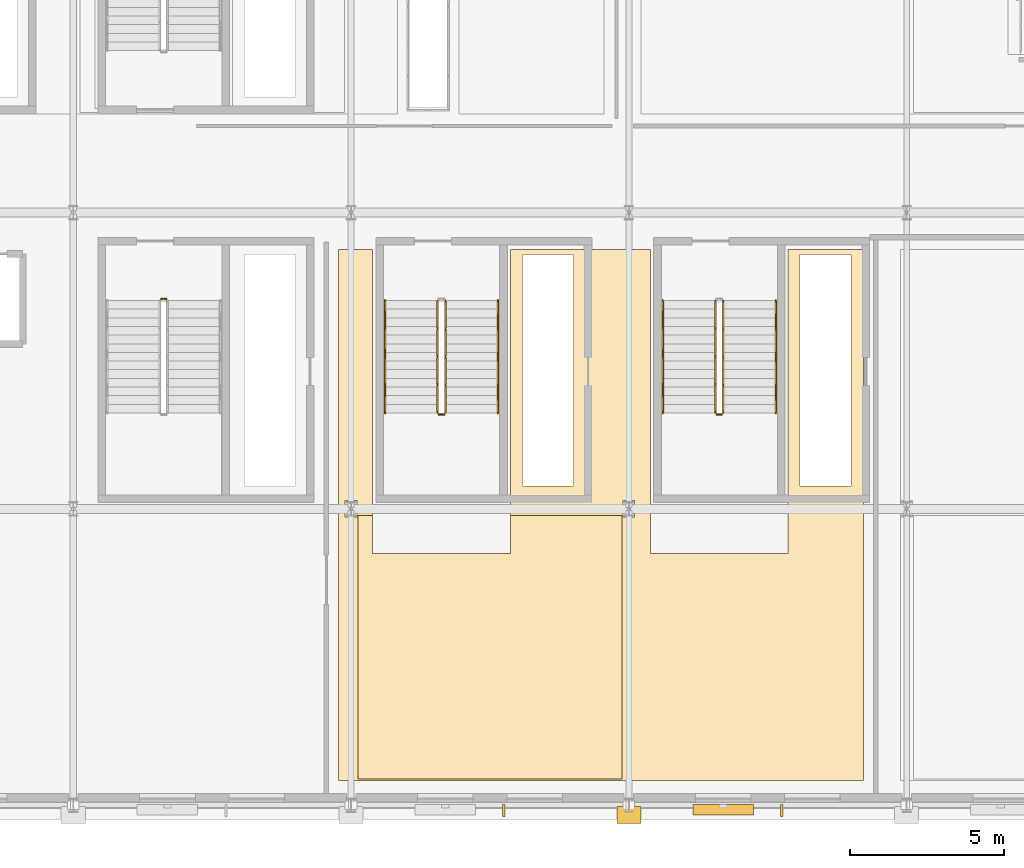
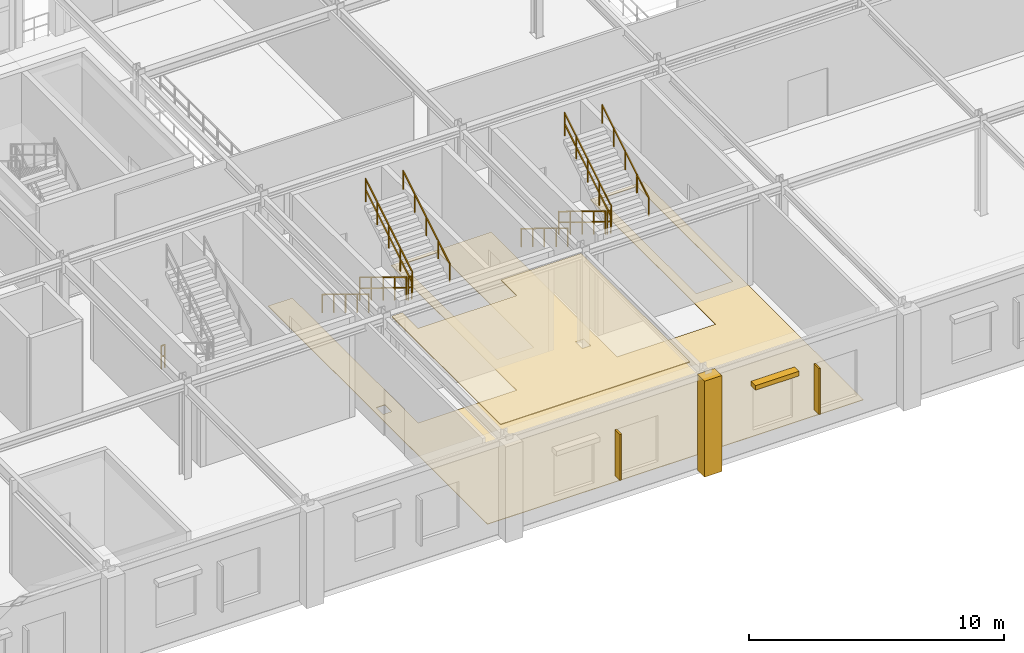
# One storey, part 112 of 125: 11 railings, 3 coverings, 3 shading devices.
"""IFC4 building model written with IfcOpenShell, lengths in metres."""

import ifcopenshell
import ifcopenshell.guid

model = None  # the IFC model being written
_history = None  # IfcOwnerHistory: only IFC2X3 demands one
_inside = {}  # id of a spatial element -> (the spatial element, [elements in it])
_under = {}  # id of a project, library or spatial element -> (it, [spatial elements below it])
_declared = {}  # id of a project -> (the project, [libraries it declares])
_typed = {}  # id of a type object -> (the type object, [elements of that type])
_made_of = {}  # id of a material, layer set ... -> (it, [elements and type objects made of it])


def new_model(schema):
    """Start an empty IFC model of exactly this schema.

    Asked for "IFC4X3", IfcOpenShell would pick the latest addendum, in which some entities
    have other attributes; the version numbers below select the first issue.
    IFC2X3 requires an IfcOwnerHistory on every rooted entity: one is made here for all.
    """
    global model, _history
    if schema == "IFC4X3":
        model = ifcopenshell.file(schema_version=(4, 3, 0, 0))
    else:
        model = ifcopenshell.file(schema=schema)
    _inside.clear()
    _under.clear()
    _declared.clear()
    _typed.clear()
    _made_of.clear()
    _history = None
    if model.schema == "IFC2X3":
        org = make("IfcOrganization", Name="unknown")
        user = make(
            "IfcPersonAndOrganization",
            ThePerson=make("IfcPerson", FamilyName="unknown"),
            TheOrganization=org,
        )
        app = make(
            "IfcApplication",
            ApplicationDeveloper=org,
            Version="unknown",
            ApplicationFullName="unknown",
            ApplicationIdentifier="unknown",
        )
        _history = make(
            "IfcOwnerHistory",
            OwningUser=user,
            OwningApplication=app,
            ChangeAction="ADDED",
            CreationDate=0,
        )
    return model


def make(cls, **values):
    """One entity of the class cls with the attributes given. An attribute that is None is left unset."""
    return model.create_entity(
        cls, **{name: value for name, value in values.items() if value is not None}
    )


def rooted(cls, **values):
    """An entity with a GlobalId (a new one), such as an element, a storey or a relation."""
    return make(cls, GlobalId=ifcopenshell.guid.new(), OwnerHistory=_history, **values)


def si_unit(unit_type, name, prefix=None):
    """IfcSIUnit, for example si_unit("LENGTHUNIT", "METRE", prefix="MILLI")."""
    return make("IfcSIUnit", UnitType=unit_type, Prefix=prefix, Name=name)


def assignment(units):
    """IfcUnitAssignment: the units of a project."""
    return None if units is None else make("IfcUnitAssignment", Units=units)


def point(xyz):
    """IfcCartesianPoint."""
    return None if xyz is None else make("IfcCartesianPoint", Coordinates=xyz)


def direction(xyz):
    """IfcDirection."""
    return None if xyz is None else make("IfcDirection", DirectionRatios=xyz)


def frame(location, z_axis=None, x_axis=None):
    """IfcAxis2Placement3D, a coordinate frame: its origin and axes. An axis left out is left unset."""
    return make(
        "IfcAxis2Placement3D",
        Location=point(location),
        Axis=direction(z_axis),
        RefDirection=direction(x_axis),
    )


def frame_2d(location, x_axis=None):
    """IfcAxis2Placement2D, a coordinate frame in the plane: its origin and x axis."""
    return make(
        "IfcAxis2Placement2D", Location=point(location), RefDirection=direction(x_axis)
    )


def origin():
    """The frame at (0, 0, 0) with its axes left unset."""
    return frame((0.0, 0.0, 0.0))


def origin_2d():
    """The frame at (0, 0) in the plane with its x axis left unset."""
    return frame_2d((0.0, 0.0))


def place(relative_to, where):
    """IfcLocalPlacement: puts the frame where relative to a parent placement (None: the world)."""
    return make(
        "IfcLocalPlacement", PlacementRelTo=relative_to, RelativePlacement=where
    )


def context(
    kind, dimensions, precision=None, world=None, true_north=None, identifier=None
):
    """IfcGeometricRepresentationContext, for example the 3D "Model" context."""
    return make(
        "IfcGeometricRepresentationContext",
        ContextIdentifier=identifier,
        ContextType=kind,
        CoordinateSpaceDimension=dimensions,
        Precision=precision,
        WorldCoordinateSystem=world,
        TrueNorth=true_north,
    )


def subcontext(parent, identifier, kind, view, scale=None):
    """IfcGeometricRepresentationSubContext, for example "Body" below "Model"."""
    return make(
        "IfcGeometricRepresentationSubContext",
        ContextIdentifier=identifier,
        ContextType=kind,
        ParentContext=parent,
        TargetScale=scale,
        TargetView=view,
    )


def project(units=None, contexts=None):
    """IfcProject with its units and contexts."""
    return rooted(
        "IfcProject",
        Name="project",
        RepresentationContexts=contexts,
        UnitsInContext=assignment(units),
    )


def spatial(cls, under=None, at=None, **own):
    """A site, building, storey or space (cls), placed at a placement, below another one or the project."""
    s = rooted(cls, ObjectPlacement=at, **own)
    if under is not None:
        _under.setdefault(under.id(), (under, []))[1].append(s)
    return s


def polyline(points):
    """IfcPolyline through the points."""
    return make("IfcPolyline", Points=[point(p) for p in points])


def profile(cls, at=None, kind="AREA", **sizes):
    """A parametric profile (cls). Its sizes go by their IFC names, for example OverallWidth=200.0."""
    return make(cls, ProfileType=kind, Position=at, **sizes)


def rectangle(**sizes):
    """IfcRectangleProfileDef."""
    return profile("IfcRectangleProfileDef", **sizes)


def outline(outer, holes=None, kind="AREA"):
    """IfcArbitraryClosedProfileDef: a profile drawn as a closed curve; with holes, ...WithVoids."""
    if holes is None:
        return make("IfcArbitraryClosedProfileDef", ProfileType=kind, OuterCurve=outer)
    return make(
        "IfcArbitraryProfileDefWithVoids",
        ProfileType=kind,
        OuterCurve=outer,
        InnerCurves=holes,
    )


def extrude(swept, where, along, depth):
    """IfcExtrudedAreaSolid: the profile swept, set in the frame where, extruded along a direction by depth."""
    return make(
        "IfcExtrudedAreaSolid",
        SweptArea=swept,
        Position=where,
        ExtrudedDirection=direction(along),
        Depth=depth,
    )


def shape(context_of_items, identifier, shape_type, items):
    """IfcShapeRepresentation: the items that make up one representation, for example the "Body"."""
    return make(
        "IfcShapeRepresentation",
        ContextOfItems=context_of_items,
        RepresentationIdentifier=identifier,
        RepresentationType=shape_type,
        Items=items,
    )


def material(Name=None, Category=None):
    """IfcMaterial."""
    return make("IfcMaterial", Name=Name, Category=Category)


def layer(
    of_material, thickness, ventilated=None, Name=None, Category=None, Priority=None
):
    """IfcMaterialLayer: one layer of a wall or slab, of a material (None: an air gap)."""
    return make(
        "IfcMaterialLayer",
        Material=of_material,
        LayerThickness=thickness,
        IsVentilated=ventilated,
        Name=Name,
        Category=Category,
        Priority=Priority,
    )


def layer_set(layers, Name=None):
    """IfcMaterialLayerSet."""
    return make("IfcMaterialLayerSet", MaterialLayers=layers, LayerSetName=Name)


def made_of(thing, what):
    """Note that an element or type object is made of a material, layer set ...; save() writes the relation."""
    if what is not None:
        _made_of.setdefault(what.id(), (what, []))[1].append(thing)
    return thing


def type_object(cls, material=None, **own):
    """A type object (cls), such as IfcWallType, which elements share."""
    return made_of(rooted(cls, **own), material)


def element(
    cls,
    number,
    at=None,
    inside=None,
    cuts=None,
    type_object=None,
    material=None,
    context=None,
    identifier="Body",
    shape_type=None,
    held_by="IfcProductDefinitionShape",
    body=None,
    shapes=None,
    **own,
):
    """One element of the class cls, such as IfcWall. Its Tag is "e" and its number.

    at: its placement. inside: the storey or other place that contains it. cuts: it is an
    opening in that element (IfcRelVoidsElement). A single representation is given by context,
    identifier, shape_type and body (its items); several are given by shapes. held_by: the class
    of the entity that holds the representations. save() writes the other relations.
    """
    e = rooted(cls, Tag="e%d" % number, ObjectPlacement=at, **own)
    if body is not None:
        shapes = [shape(context, identifier, shape_type, body)]
    if shapes is not None:
        e.Representation = make(held_by, Representations=shapes)
    if inside is not None:
        _inside.setdefault(inside.id(), (inside, []))[1].append(e)
    if cuts is not None:
        rooted(
            "IfcRelVoidsElement", RelatingBuildingElement=cuts, RelatedOpeningElement=e
        )
    if type_object is not None:
        _typed.setdefault(type_object.id(), (type_object, []))[1].append(e)
    return made_of(e, material)


def aggregate(whole, parts):
    """IfcRelAggregates: a whole, such as a stair, and the parts it consists of."""
    return rooted("IfcRelAggregates", RelatingObject=whole, RelatedObjects=parts)


def save(model, path):
    """Write the relations noted so far, then the file.

    IfcRelAggregates (storeys below a building ...), IfcRelContainedInSpatialStructure (elements
    in a storey), IfcRelDefinesByType, IfcRelAssociatesMaterial and IfcRelDeclares: one each for
    every whole, place, type object, material and project.
    """
    for whole, parts in _under.values():
        aggregate(whole, parts)
    for where, things in _inside.values():
        rooted(
            "IfcRelContainedInSpatialStructure",
            RelatedElements=things,
            RelatingStructure=where,
        )
    for kind, things in _typed.values():
        rooted("IfcRelDefinesByType", RelatedObjects=things, RelatingType=kind)
    for what, things in _made_of.values():
        rooted("IfcRelAssociatesMaterial", RelatedObjects=things, RelatingMaterial=what)
    for by, libraries in _declared.values():
        rooted("IfcRelDeclares", RelatingContext=by, RelatedDefinitions=libraries)
    model.write(path)


model = new_model("IFC4")

# Units and contexts
model_context = context("Model", 3, precision=1e-05, world=origin(), true_north=direction((0.0, 1.0)))
body_context = subcontext(model_context, "Body", "Model", "MODEL_VIEW")
ifc_project = project(units=[si_unit("LENGTHUNIT", "METRE"), si_unit("AREAUNIT", "SQUARE_METRE"), si_unit("VOLUMEUNIT", "CUBIC_METRE"), si_unit("PLANEANGLEUNIT", "RADIAN"), si_unit("MASSUNIT", "GRAM", prefix="KILO")], contexts=[model_context])

# Site, building, storey
site_placement = place(None, origin())
site = spatial("IfcSite", under=ifc_project, at=site_placement, CompositionType="ELEMENT")
building_placement = place(site_placement, origin())
building = spatial("IfcBuilding", under=site, at=building_placement, Name="Myrtia Square Station", CompositionType="ELEMENT")
storey_placement = place(building_placement, frame((0.0, 0.0, 6.0)))
storey = spatial("IfcBuildingStorey", under=building, at=storey_placement, Name="L01", CompositionType="ELEMENT", Elevation=6.0)

# Coverings
ifc_material_1 = material(Name="Pentelic marble ashlar", Category="masonry")
ifc_layer_1 = layer(ifc_material_1, 0.4599609375, Name="Pentelic marble ashlar")
ifc_layer_set_1 = layer_set([ifc_layer_1], Name="Pentelic marble ashlar")
covering_type_1 = type_object("IfcCoveringType", Name="COV-ARCH-ASHLAR", PredefinedType="CLADDING", material=ifc_layer_set_1)
covering_1_placement = place(storey_placement, frame((153.0, -0.320068359375, -0.0400390625), z_axis=(0.0, 0.0, 1.0), x_axis=(1.0, 0.0, 0.0)))
element("IfcCovering", 1, at=covering_1_placement, inside=storey, type_object=covering_type_1, Name="Classical Pentelic ashlar pilaster 036", PredefinedType="CLADDING", context=body_context, shape_type="SweptSolid", body=[
    extrude(rectangle(XDim=0.780029296875, YDim=0.56005859375, at=origin_2d()), origin(), (0.0, 0.0, 1.0), 4.590087890625),
])
ifc_material_2 = material(Name="Acoustic European oak timber", Category="wood")
ifc_layer_2 = layer(ifc_material_2, 0.044921875, Name="Acoustic European oak timber")
ifc_layer_set_2 = layer_set([ifc_layer_2], Name="Acoustic European oak timber")
covering_type_2 = type_object("IfcCoveringType", Name="COV-CEIL-OAK", PredefinedType="CEILING", material=ifc_layer_set_2)
covering_2_placement = place(storey_placement, frame((0.0, 0.0, 4.5048828125)))
element("IfcCovering", 2, at=covering_2_placement, inside=storey, type_object=covering_type_2, Name="Acoustic coffer ceiling L01-12", PredefinedType="CEILING", context=body_context, shape_type="SweptSolid", body=[
    extrude(outline(polyline([(144.699951171875, 8.14990234375), (149.159912109375, 8.14990234375), (149.159912109375, 9.3798828125), (152.780029296875, 9.3798828125), (152.780029296875, 0.85009765625), (144.219970703125, 0.85009765625), (144.219970703125, 9.3798828125), (144.699951171875, 9.3798828125), (144.699951171875, 8.14990234375)])), origin(), (0.0, 0.0, 1.0), 0.045166015625),
])
ifc_material_3 = material(Name="Terrazzo stone tile", Category="masonry")
ifc_layer_3 = layer(ifc_material_3, 0.02490234375, Name="Terrazzo stone tile")
ifc_layer_set_3 = layer_set([ifc_layer_3], Name="Terrazzo stone tile")
covering_type_3 = type_object("IfcCoveringType", Name="COV-FLR-TERRAZZO", PredefinedType="FLOORING", material=ifc_layer_set_3)
covering_3_placement = place(storey_placement, origin())
element("IfcCovering", 3, at=covering_3_placement, inside=storey, type_object=covering_type_3, Name="Terrazzo room flooring L01-12", PredefinedType="FLOORING", context=body_context, shape_type="SweptSolid", body=[
    extrude(outline(polyline([(143.60009765625, 18.0), (144.699951171875, 18.0), (144.699951171875, 8.14990234375), (149.159912109375, 8.14990234375), (149.159912109375, 18.0), (153.699951171875, 18.0), (153.699951171875, 8.14990234375), (158.159912109375, 8.14990234375), (158.159912109375, 18.0), (160.60009765625, 18.0), (160.60009765625, 0.800048828125), (143.60009765625, 0.800048828125), (143.60009765625, 18.0)]), holes=[polyline([(151.199951171875, 10.35009765625), (151.199951171875, 17.85009765625), (149.550048828125, 17.85009765625), (149.550048828125, 10.35009765625), (151.199951171875, 10.35009765625)]), polyline([(158.550048828125, 10.35009765625), (160.199951171875, 10.35009765625), (160.199951171875, 17.85009765625), (158.550048828125, 17.85009765625), (158.550048828125, 10.35009765625)]), polyline([(144.18994140625, 9.3349609375), (144.18994140625, 9.864990234375), (143.81005859375, 9.864990234375), (143.81005859375, 9.3349609375), (144.18994140625, 9.3349609375)]), polyline([(153.18994140625, 9.864990234375), (152.81005859375, 9.864990234375), (152.81005859375, 9.3349609375), (153.18994140625, 9.3349609375), (153.18994140625, 9.864990234375)])]), origin(), (0.0, 0.0, 1.0), 0.02490234375),
])

# Railings
ifc_material_4 = material(Name="Dark bronze anodised aluminium", Category="aluminium")
railing_type_1 = type_object("IfcRailingType", Name="RL-HANDRAIL-900", PredefinedType="HANDRAIL", material=ifc_material_4)
railing_1_placement = place(storey_placement, frame((145.10009765625, 16.35009765625, 0.17138671875)))
element("IfcRailing", 4, at=railing_1_placement, inside=storey, type_object=railing_type_1, Name="L01 ST11 stair handrail 1", PredefinedType="HANDRAIL", context=body_context, shape_type="SweptSolid", body=[
    extrude(rectangle(XDim=0.048095703125, YDim=0.048095703125, at=origin_2d()), frame((0.0, -0.029541015625, 0.89404296875), z_axis=(0.0, -0.852865859571, 0.52213008492), x_axis=(1.0, 0.0, 0.0)), (0.0, 0.0, 1.0), 0.997802734375),
    extrude(rectangle(XDim=0.048095703125, YDim=0.048095703125, at=origin_2d()), frame((0.0, -0.939697265625, 1.451171875), z_axis=(0.0, -0.852865859571, 0.52213008492), x_axis=(1.0, 0.0, 0.0)), (0.0, 0.0, 1.0), 0.997802734375),
    extrude(rectangle(XDim=0.048095703125, YDim=0.048095703125, at=origin_2d()), frame((0.0, -1.849609375, 2.00830078125), z_axis=(0.0, -0.852865859571, 0.52213008492), x_axis=(1.0, 0.0, 0.0)), (0.0, 0.0, 1.0), 0.997802734375),
    extrude(rectangle(XDim=0.048095703125, YDim=0.048095703125, at=origin_2d()), frame((0.0, -2.759765625, 2.5654296875), z_axis=(0.0, -0.852865859571, 0.52213008492), x_axis=(1.0, 0.0, 0.0)), (0.0, 0.0, 1.0), 0.997802734375),
    extrude(rectangle(XDim=0.0439453125, YDim=0.0439453125, at=origin_2d()), origin(), (0.0, 0.0, 1.0), 0.89990234375),
    extrude(rectangle(XDim=0.0439453125, YDim=0.0439453125, at=origin_2d()), frame((0.0, -0.91015625, 0.55712890625)), (0.0, 0.0, 1.0), 0.89990234375),
    extrude(rectangle(XDim=0.0439453125, YDim=0.0439453125, at=origin_2d()), frame((0.0, -1.820068359375, 1.1142578125)), (0.0, 0.0, 1.0), 0.89990234375),
    extrude(rectangle(XDim=0.0439453125, YDim=0.0439453125, at=origin_2d()), frame((0.0, -2.72998046875, 1.67138671875)), (0.0, 0.0, 1.0), 0.89990234375),
    extrude(rectangle(XDim=0.0439453125, YDim=0.0439453125, at=origin_2d()), frame((0.0, -3.64013671875, 2.228515625)), (0.0, 0.0, 1.0), 0.89990234375),
])
railing_2_placement = place(storey_placement, frame((148.760009765625, 12.7099609375, 2.571533203125)))
element("IfcRailing", 5, at=railing_2_placement, inside=storey, type_object=railing_type_1, Name="L01 ST11 stair handrail 2", PredefinedType="HANDRAIL", context=body_context, shape_type="SweptSolid", body=[
    extrude(rectangle(XDim=0.048095703125, YDim=0.048095703125, at=origin_2d()), frame((0.0, 0.029541015625, 0.89404296875), z_axis=(0.0, 0.852865859571, 0.52213008492), x_axis=(-1.0, 0.0, 0.0)), (0.0, 0.0, 1.0), 0.997802734375),
    extrude(rectangle(XDim=0.048095703125, YDim=0.048095703125, at=origin_2d()), frame((0.0, 0.939697265625, 1.451171875), z_axis=(0.0, 0.852865859571, 0.52213008492), x_axis=(-1.0, 0.0, 0.0)), (0.0, 0.0, 1.0), 0.997802734375),
    extrude(rectangle(XDim=0.048095703125, YDim=0.048095703125, at=origin_2d()), frame((0.0, 1.849609375, 2.00830078125), z_axis=(0.0, 0.852865859571, 0.52213008492), x_axis=(-1.0, 0.0, 0.0)), (0.0, 0.0, 1.0), 0.997802734375),
    extrude(rectangle(XDim=0.048095703125, YDim=0.048095703125, at=origin_2d()), frame((0.0, 2.759765625, 2.5654296875), z_axis=(0.0, 0.852865859571, 0.52213008492), x_axis=(-1.0, 0.0, 0.0)), (0.0, 0.0, 1.0), 0.997802734375),
    extrude(rectangle(XDim=0.0439453125, YDim=0.0439453125, at=origin_2d()), origin(), (0.0, 0.0, 1.0), 0.89990234375),
    extrude(rectangle(XDim=0.0439453125, YDim=0.0439453125, at=origin_2d()), frame((0.0, 0.91015625, 0.55712890625)), (0.0, 0.0, 1.0), 0.89990234375),
    extrude(rectangle(XDim=0.0439453125, YDim=0.0439453125, at=origin_2d()), frame((0.0, 1.820068359375, 1.1142578125)), (0.0, 0.0, 1.0), 0.89990234375),
    extrude(rectangle(XDim=0.0439453125, YDim=0.0439453125, at=origin_2d()), frame((0.0, 2.72998046875, 1.67138671875)), (0.0, 0.0, 1.0), 0.89990234375),
    extrude(rectangle(XDim=0.0439453125, YDim=0.0439453125, at=origin_2d()), frame((0.0, 3.64013671875, 2.228515625)), (0.0, 0.0, 1.0), 0.89990234375),
])
railing_3_placement = place(storey_placement, frame((154.10009765625, 16.35009765625, 0.17138671875)))
element("IfcRailing", 6, at=railing_3_placement, inside=storey, type_object=railing_type_1, Name="L01 ST14 stair handrail 1", PredefinedType="HANDRAIL", context=body_context, shape_type="SweptSolid", body=[
    extrude(rectangle(XDim=0.048095703125, YDim=0.048095703125, at=origin_2d()), frame((0.0, -0.029541015625, 0.89404296875), z_axis=(0.0, -0.852865859571, 0.52213008492), x_axis=(1.0, 0.0, 0.0)), (0.0, 0.0, 1.0), 0.997802734375),
    extrude(rectangle(XDim=0.048095703125, YDim=0.048095703125, at=origin_2d()), frame((0.0, -0.939697265625, 1.451171875), z_axis=(0.0, -0.852865859571, 0.52213008492), x_axis=(1.0, 0.0, 0.0)), (0.0, 0.0, 1.0), 0.997802734375),
    extrude(rectangle(XDim=0.048095703125, YDim=0.048095703125, at=origin_2d()), frame((0.0, -1.849609375, 2.00830078125), z_axis=(0.0, -0.852865859571, 0.52213008492), x_axis=(1.0, 0.0, 0.0)), (0.0, 0.0, 1.0), 0.997802734375),
    extrude(rectangle(XDim=0.048095703125, YDim=0.048095703125, at=origin_2d()), frame((0.0, -2.759765625, 2.5654296875), z_axis=(0.0, -0.852865859571, 0.52213008492), x_axis=(1.0, 0.0, 0.0)), (0.0, 0.0, 1.0), 0.997802734375),
    extrude(rectangle(XDim=0.0439453125, YDim=0.0439453125, at=origin_2d()), origin(), (0.0, 0.0, 1.0), 0.89990234375),
    extrude(rectangle(XDim=0.0439453125, YDim=0.0439453125, at=origin_2d()), frame((0.0, -0.91015625, 0.55712890625)), (0.0, 0.0, 1.0), 0.89990234375),
    extrude(rectangle(XDim=0.0439453125, YDim=0.0439453125, at=origin_2d()), frame((0.0, -1.820068359375, 1.1142578125)), (0.0, 0.0, 1.0), 0.89990234375),
    extrude(rectangle(XDim=0.0439453125, YDim=0.0439453125, at=origin_2d()), frame((0.0, -2.72998046875, 1.67138671875)), (0.0, 0.0, 1.0), 0.89990234375),
    extrude(rectangle(XDim=0.0439453125, YDim=0.0439453125, at=origin_2d()), frame((0.0, -3.64013671875, 2.228515625)), (0.0, 0.0, 1.0), 0.89990234375),
])
railing_4_placement = place(storey_placement, frame((157.760009765625, 12.7099609375, 2.571533203125)))
element("IfcRailing", 7, at=railing_4_placement, inside=storey, type_object=railing_type_1, Name="L01 ST14 stair handrail 2", PredefinedType="HANDRAIL", context=body_context, shape_type="SweptSolid", body=[
    extrude(rectangle(XDim=0.048095703125, YDim=0.048095703125, at=origin_2d()), frame((0.0, 0.029541015625, 0.89404296875), z_axis=(0.0, 0.852865859571, 0.52213008492), x_axis=(-1.0, 0.0, 0.0)), (0.0, 0.0, 1.0), 0.997802734375),
    extrude(rectangle(XDim=0.048095703125, YDim=0.048095703125, at=origin_2d()), frame((0.0, 0.939697265625, 1.451171875), z_axis=(0.0, 0.852865859571, 0.52213008492), x_axis=(-1.0, 0.0, 0.0)), (0.0, 0.0, 1.0), 0.997802734375),
    extrude(rectangle(XDim=0.048095703125, YDim=0.048095703125, at=origin_2d()), frame((0.0, 1.849609375, 2.00830078125), z_axis=(0.0, 0.852865859571, 0.52213008492), x_axis=(-1.0, 0.0, 0.0)), (0.0, 0.0, 1.0), 0.997802734375),
    extrude(rectangle(XDim=0.048095703125, YDim=0.048095703125, at=origin_2d()), frame((0.0, 2.759765625, 2.5654296875), z_axis=(0.0, 0.852865859571, 0.52213008492), x_axis=(-1.0, 0.0, 0.0)), (0.0, 0.0, 1.0), 0.997802734375),
    extrude(rectangle(XDim=0.0439453125, YDim=0.0439453125, at=origin_2d()), origin(), (0.0, 0.0, 1.0), 0.89990234375),
    extrude(rectangle(XDim=0.0439453125, YDim=0.0439453125, at=origin_2d()), frame((0.0, 0.91015625, 0.55712890625)), (0.0, 0.0, 1.0), 0.89990234375),
    extrude(rectangle(XDim=0.0439453125, YDim=0.0439453125, at=origin_2d()), frame((0.0, 1.820068359375, 1.1142578125)), (0.0, 0.0, 1.0), 0.89990234375),
    extrude(rectangle(XDim=0.0439453125, YDim=0.0439453125, at=origin_2d()), frame((0.0, 2.72998046875, 1.67138671875)), (0.0, 0.0, 1.0), 0.89990234375),
    extrude(rectangle(XDim=0.0439453125, YDim=0.0439453125, at=origin_2d()), frame((0.0, 3.64013671875, 2.228515625)), (0.0, 0.0, 1.0), 0.89990234375),
])
ifc_material_5 = material(Name="Wrought iron", Category="steel")
railing_type_2 = type_object("IfcRailingType", Name="RL-INT-GUARD-1100", PredefinedType="BALUSTRADE", material=ifc_material_5)
railing_5_placement = place(storey_placement, frame((137.85009765625, 16.39990234375, 0.0)))
element("IfcRailing", 8, at=railing_5_placement, inside=storey, type_object=railing_type_2, Name="L01 ST06 stair guard 4", PredefinedType="BALUSTRADE", context=body_context, shape_type="SweptSolid", body=[
    extrude(rectangle(XDim=0.048095703125, YDim=0.048095703125, at=origin_2d()), frame((0.03466796875, 0.0, 1.09619140625), z_axis=(1.0, 0.0, 0.0), x_axis=(0.0, 1.0, 0.0)), (0.0, 0.0, 1.0), 0.090576171875),
    extrude(rectangle(XDim=0.048095703125, YDim=0.048095703125, at=origin_2d()), frame((0.03466796875, 0.0, 0.58251953125), z_axis=(1.0, 0.0, 0.0), x_axis=(0.0, 1.0, 0.0)), (0.0, 0.0, 1.0), 0.090576171875),
    extrude(rectangle(XDim=0.0439453125, YDim=0.0439453125, at=origin_2d()), origin(), (0.0, 0.0, 1.0), 1.1201171875),
    extrude(rectangle(XDim=0.0439453125, YDim=0.0439453125, at=origin_2d()), frame((0.159912109375, 0.0, 0.0)), (0.0, 0.0, 1.0), 1.1201171875),
])
railing_6_placement = place(storey_placement, frame((146.800048828125, 16.35009765625, 0.17138671875)))
element("IfcRailing", 9, at=railing_6_placement, inside=storey, type_object=railing_type_2, Name="L01 ST11 stair guard 1", PredefinedType="BALUSTRADE", context=body_context, shape_type="SweptSolid", body=[
    extrude(rectangle(XDim=0.048095703125, YDim=0.048095703125, at=origin_2d()), frame((0.0, -0.029541015625, 1.1142578125), z_axis=(0.0, -0.852865859571, 0.52213008492), x_axis=(1.0, 0.0, 0.0)), (0.0, 0.0, 1.0), 0.997802734375),
    extrude(rectangle(XDim=0.048095703125, YDim=0.048095703125, at=origin_2d()), frame((0.0, -0.029541015625, 0.6005859375), z_axis=(0.0, -0.852865859571, 0.52213008492), x_axis=(1.0, 0.0, 0.0)), (0.0, 0.0, 1.0), 0.997802734375),
    extrude(rectangle(XDim=0.048095703125, YDim=0.048095703125, at=origin_2d()), frame((0.0, -0.939697265625, 1.67138671875), z_axis=(0.0, -0.852865859571, 0.52213008492), x_axis=(1.0, 0.0, 0.0)), (0.0, 0.0, 1.0), 0.997802734375),
    extrude(rectangle(XDim=0.048095703125, YDim=0.048095703125, at=origin_2d()), frame((0.0, -0.939697265625, 1.15771484375), z_axis=(0.0, -0.852865859571, 0.52213008492), x_axis=(1.0, 0.0, 0.0)), (0.0, 0.0, 1.0), 0.997802734375),
    extrude(rectangle(XDim=0.048095703125, YDim=0.048095703125, at=origin_2d()), frame((0.0, -1.849609375, 2.228515625), z_axis=(0.0, -0.852865859571, 0.52213008492), x_axis=(1.0, 0.0, 0.0)), (0.0, 0.0, 1.0), 0.997802734375),
    extrude(rectangle(XDim=0.048095703125, YDim=0.048095703125, at=origin_2d()), frame((0.0, -1.849609375, 1.71484375), z_axis=(0.0, -0.852865859571, 0.52213008492), x_axis=(1.0, 0.0, 0.0)), (0.0, 0.0, 1.0), 0.997802734375),
    extrude(rectangle(XDim=0.048095703125, YDim=0.048095703125, at=origin_2d()), frame((0.0, -2.759765625, 2.78564453125), z_axis=(0.0, -0.852865859571, 0.52213008492), x_axis=(1.0, 0.0, 0.0)), (0.0, 0.0, 1.0), 0.997802734375),
    extrude(rectangle(XDim=0.048095703125, YDim=0.048095703125, at=origin_2d()), frame((0.0, -2.759765625, 2.27197265625), z_axis=(0.0, -0.852865859571, 0.52213008492), x_axis=(1.0, 0.0, 0.0)), (0.0, 0.0, 1.0), 0.997802734375),
    extrude(rectangle(XDim=0.0439453125, YDim=0.0439453125, at=origin_2d()), origin(), (0.0, 0.0, 1.0), 1.1201171875),
    extrude(rectangle(XDim=0.0439453125, YDim=0.0439453125, at=origin_2d()), frame((0.0, -0.91015625, 0.55712890625)), (0.0, 0.0, 1.0), 1.1201171875),
    extrude(rectangle(XDim=0.0439453125, YDim=0.0439453125, at=origin_2d()), frame((0.0, -1.820068359375, 1.1142578125)), (0.0, 0.0, 1.0), 1.1201171875),
    extrude(rectangle(XDim=0.0439453125, YDim=0.0439453125, at=origin_2d()), frame((0.0, -2.72998046875, 1.67138671875)), (0.0, 0.0, 1.0), 1.1201171875),
    extrude(rectangle(XDim=0.0439453125, YDim=0.0439453125, at=origin_2d()), frame((0.0, -3.64013671875, 2.228515625)), (0.0, 0.0, 1.0), 1.1201171875),
])
railing_7_placement = place(storey_placement, frame((146.85009765625, 12.659912109375, 2.39990234375)))
element("IfcRailing", 10, at=railing_7_placement, inside=storey, type_object=railing_type_2, Name="L01 ST11 stair guard 2", PredefinedType="BALUSTRADE", context=body_context, shape_type="SweptSolid", body=[
    extrude(rectangle(XDim=0.048095703125, YDim=0.048095703125, at=origin_2d()), frame((0.03466796875, 0.0, 1.09619140625), z_axis=(1.0, 0.0, 0.0), x_axis=(0.0, 1.0, 0.0)), (0.0, 0.0, 1.0), 0.090576171875),
    extrude(rectangle(XDim=0.048095703125, YDim=0.048095703125, at=origin_2d()), frame((0.03466796875, 0.0, 0.58251953125), z_axis=(1.0, 0.0, 0.0), x_axis=(0.0, 1.0, 0.0)), (0.0, 0.0, 1.0), 0.090576171875),
    extrude(rectangle(XDim=0.0439453125, YDim=0.0439453125, at=origin_2d()), origin(), (0.0, 0.0, 1.0), 1.1201171875),
    extrude(rectangle(XDim=0.0439453125, YDim=0.0439453125, at=origin_2d()), frame((0.159912109375, 0.0, 0.0)), (0.0, 0.0, 1.0), 1.1201171875),
])
railing_8_placement = place(storey_placement, frame((147.06005859375, 12.7099609375, 2.571533203125)))
element("IfcRailing", 11, at=railing_8_placement, inside=storey, type_object=railing_type_2, Name="L01 ST11 stair guard 3", PredefinedType="BALUSTRADE", context=body_context, shape_type="SweptSolid", body=[
    extrude(rectangle(XDim=0.048095703125, YDim=0.048095703125, at=origin_2d()), frame((0.0, 0.029541015625, 1.1142578125), z_axis=(0.0, 0.852865859571, 0.52213008492), x_axis=(-1.0, 0.0, 0.0)), (0.0, 0.0, 1.0), 0.997802734375),
    extrude(rectangle(XDim=0.048095703125, YDim=0.048095703125, at=origin_2d()), frame((0.0, 0.029541015625, 0.6005859375), z_axis=(0.0, 0.852865859571, 0.52213008492), x_axis=(-1.0, 0.0, 0.0)), (0.0, 0.0, 1.0), 0.997802734375),
    extrude(rectangle(XDim=0.048095703125, YDim=0.048095703125, at=origin_2d()), frame((0.0, 0.939697265625, 1.67138671875), z_axis=(0.0, 0.852865859571, 0.52213008492), x_axis=(-1.0, 0.0, 0.0)), (0.0, 0.0, 1.0), 0.997802734375),
    extrude(rectangle(XDim=0.048095703125, YDim=0.048095703125, at=origin_2d()), frame((0.0, 0.939697265625, 1.15771484375), z_axis=(0.0, 0.852865859571, 0.52213008492), x_axis=(-1.0, 0.0, 0.0)), (0.0, 0.0, 1.0), 0.997802734375),
    extrude(rectangle(XDim=0.048095703125, YDim=0.048095703125, at=origin_2d()), frame((0.0, 1.849609375, 2.228515625), z_axis=(0.0, 0.852865859571, 0.52213008492), x_axis=(-1.0, 0.0, 0.0)), (0.0, 0.0, 1.0), 0.997802734375),
    extrude(rectangle(XDim=0.048095703125, YDim=0.048095703125, at=origin_2d()), frame((0.0, 1.849609375, 1.71484375), z_axis=(0.0, 0.852865859571, 0.52213008492), x_axis=(-1.0, 0.0, 0.0)), (0.0, 0.0, 1.0), 0.997802734375),
    extrude(rectangle(XDim=0.048095703125, YDim=0.048095703125, at=origin_2d()), frame((0.0, 2.759765625, 2.78564453125), z_axis=(0.0, 0.852865859571, 0.52213008492), x_axis=(-1.0, 0.0, 0.0)), (0.0, 0.0, 1.0), 0.997802734375),
    extrude(rectangle(XDim=0.048095703125, YDim=0.048095703125, at=origin_2d()), frame((0.0, 2.759765625, 2.27197265625), z_axis=(0.0, 0.852865859571, 0.52213008492), x_axis=(-1.0, 0.0, 0.0)), (0.0, 0.0, 1.0), 0.997802734375),
    extrude(rectangle(XDim=0.0439453125, YDim=0.0439453125, at=origin_2d()), origin(), (0.0, 0.0, 1.0), 1.1201171875),
    extrude(rectangle(XDim=0.0439453125, YDim=0.0439453125, at=origin_2d()), frame((0.0, 0.91015625, 0.55712890625)), (0.0, 0.0, 1.0), 1.1201171875),
    extrude(rectangle(XDim=0.0439453125, YDim=0.0439453125, at=origin_2d()), frame((0.0, 1.820068359375, 1.1142578125)), (0.0, 0.0, 1.0), 1.1201171875),
    extrude(rectangle(XDim=0.0439453125, YDim=0.0439453125, at=origin_2d()), frame((0.0, 2.72998046875, 1.67138671875)), (0.0, 0.0, 1.0), 1.1201171875),
    extrude(rectangle(XDim=0.0439453125, YDim=0.0439453125, at=origin_2d()), frame((0.0, 3.64013671875, 2.228515625)), (0.0, 0.0, 1.0), 1.1201171875),
])
railing_9_placement = place(storey_placement, frame((155.800048828125, 16.35009765625, 0.17138671875)))
element("IfcRailing", 12, at=railing_9_placement, inside=storey, type_object=railing_type_2, Name="L01 ST14 stair guard 1", PredefinedType="BALUSTRADE", context=body_context, shape_type="SweptSolid", body=[
    extrude(rectangle(XDim=0.048095703125, YDim=0.048095703125, at=origin_2d()), frame((0.0, -0.029541015625, 1.1142578125), z_axis=(0.0, -0.852865859571, 0.52213008492), x_axis=(1.0, 0.0, 0.0)), (0.0, 0.0, 1.0), 0.997802734375),
    extrude(rectangle(XDim=0.048095703125, YDim=0.048095703125, at=origin_2d()), frame((0.0, -0.029541015625, 0.6005859375), z_axis=(0.0, -0.852865859571, 0.52213008492), x_axis=(1.0, 0.0, 0.0)), (0.0, 0.0, 1.0), 0.997802734375),
    extrude(rectangle(XDim=0.048095703125, YDim=0.048095703125, at=origin_2d()), frame((0.0, -0.939697265625, 1.67138671875), z_axis=(0.0, -0.852865859571, 0.52213008492), x_axis=(1.0, 0.0, 0.0)), (0.0, 0.0, 1.0), 0.997802734375),
    extrude(rectangle(XDim=0.048095703125, YDim=0.048095703125, at=origin_2d()), frame((0.0, -0.939697265625, 1.15771484375), z_axis=(0.0, -0.852865859571, 0.52213008492), x_axis=(1.0, 0.0, 0.0)), (0.0, 0.0, 1.0), 0.997802734375),
    extrude(rectangle(XDim=0.048095703125, YDim=0.048095703125, at=origin_2d()), frame((0.0, -1.849609375, 2.228515625), z_axis=(0.0, -0.852865859571, 0.52213008492), x_axis=(1.0, 0.0, 0.0)), (0.0, 0.0, 1.0), 0.997802734375),
    extrude(rectangle(XDim=0.048095703125, YDim=0.048095703125, at=origin_2d()), frame((0.0, -1.849609375, 1.71484375), z_axis=(0.0, -0.852865859571, 0.52213008492), x_axis=(1.0, 0.0, 0.0)), (0.0, 0.0, 1.0), 0.997802734375),
    extrude(rectangle(XDim=0.048095703125, YDim=0.048095703125, at=origin_2d()), frame((0.0, -2.759765625, 2.78564453125), z_axis=(0.0, -0.852865859571, 0.52213008492), x_axis=(1.0, 0.0, 0.0)), (0.0, 0.0, 1.0), 0.997802734375),
    extrude(rectangle(XDim=0.048095703125, YDim=0.048095703125, at=origin_2d()), frame((0.0, -2.759765625, 2.27197265625), z_axis=(0.0, -0.852865859571, 0.52213008492), x_axis=(1.0, 0.0, 0.0)), (0.0, 0.0, 1.0), 0.997802734375),
    extrude(rectangle(XDim=0.0439453125, YDim=0.0439453125, at=origin_2d()), origin(), (0.0, 0.0, 1.0), 1.1201171875),
    extrude(rectangle(XDim=0.0439453125, YDim=0.0439453125, at=origin_2d()), frame((0.0, -0.91015625, 0.55712890625)), (0.0, 0.0, 1.0), 1.1201171875),
    extrude(rectangle(XDim=0.0439453125, YDim=0.0439453125, at=origin_2d()), frame((0.0, -1.820068359375, 1.1142578125)), (0.0, 0.0, 1.0), 1.1201171875),
    extrude(rectangle(XDim=0.0439453125, YDim=0.0439453125, at=origin_2d()), frame((0.0, -2.72998046875, 1.67138671875)), (0.0, 0.0, 1.0), 1.1201171875),
    extrude(rectangle(XDim=0.0439453125, YDim=0.0439453125, at=origin_2d()), frame((0.0, -3.64013671875, 2.228515625)), (0.0, 0.0, 1.0), 1.1201171875),
])
railing_10_placement = place(storey_placement, frame((155.85009765625, 12.659912109375, 2.39990234375)))
element("IfcRailing", 13, at=railing_10_placement, inside=storey, type_object=railing_type_2, Name="L01 ST14 stair guard 2", PredefinedType="BALUSTRADE", context=body_context, shape_type="SweptSolid", body=[
    extrude(rectangle(XDim=0.048095703125, YDim=0.048095703125, at=origin_2d()), frame((0.03466796875, 0.0, 1.09619140625), z_axis=(1.0, 0.0, 0.0), x_axis=(0.0, 1.0, 0.0)), (0.0, 0.0, 1.0), 0.090576171875),
    extrude(rectangle(XDim=0.048095703125, YDim=0.048095703125, at=origin_2d()), frame((0.03466796875, 0.0, 0.58251953125), z_axis=(1.0, 0.0, 0.0), x_axis=(0.0, 1.0, 0.0)), (0.0, 0.0, 1.0), 0.090576171875),
    extrude(rectangle(XDim=0.0439453125, YDim=0.0439453125, at=origin_2d()), origin(), (0.0, 0.0, 1.0), 1.1201171875),
    extrude(rectangle(XDim=0.0439453125, YDim=0.0439453125, at=origin_2d()), frame((0.159912109375, 0.0, 0.0)), (0.0, 0.0, 1.0), 1.1201171875),
])
railing_11_placement = place(storey_placement, frame((156.06005859375, 12.7099609375, 2.571533203125)))
element("IfcRailing", 14, at=railing_11_placement, inside=storey, type_object=railing_type_2, Name="L01 ST14 stair guard 3", PredefinedType="BALUSTRADE", context=body_context, shape_type="SweptSolid", body=[
    extrude(rectangle(XDim=0.048095703125, YDim=0.048095703125, at=origin_2d()), frame((0.0, 0.029541015625, 1.1142578125), z_axis=(0.0, 0.852865859571, 0.52213008492), x_axis=(-1.0, 0.0, 0.0)), (0.0, 0.0, 1.0), 0.997802734375),
    extrude(rectangle(XDim=0.048095703125, YDim=0.048095703125, at=origin_2d()), frame((0.0, 0.029541015625, 0.6005859375), z_axis=(0.0, 0.852865859571, 0.52213008492), x_axis=(-1.0, 0.0, 0.0)), (0.0, 0.0, 1.0), 0.997802734375),
    extrude(rectangle(XDim=0.048095703125, YDim=0.048095703125, at=origin_2d()), frame((0.0, 0.939697265625, 1.67138671875), z_axis=(0.0, 0.852865859571, 0.52213008492), x_axis=(-1.0, 0.0, 0.0)), (0.0, 0.0, 1.0), 0.997802734375),
    extrude(rectangle(XDim=0.048095703125, YDim=0.048095703125, at=origin_2d()), frame((0.0, 0.939697265625, 1.15771484375), z_axis=(0.0, 0.852865859571, 0.52213008492), x_axis=(-1.0, 0.0, 0.0)), (0.0, 0.0, 1.0), 0.997802734375),
    extrude(rectangle(XDim=0.048095703125, YDim=0.048095703125, at=origin_2d()), frame((0.0, 1.849609375, 2.228515625), z_axis=(0.0, 0.852865859571, 0.52213008492), x_axis=(-1.0, 0.0, 0.0)), (0.0, 0.0, 1.0), 0.997802734375),
    extrude(rectangle(XDim=0.048095703125, YDim=0.048095703125, at=origin_2d()), frame((0.0, 1.849609375, 1.71484375), z_axis=(0.0, 0.852865859571, 0.52213008492), x_axis=(-1.0, 0.0, 0.0)), (0.0, 0.0, 1.0), 0.997802734375),
    extrude(rectangle(XDim=0.048095703125, YDim=0.048095703125, at=origin_2d()), frame((0.0, 2.759765625, 2.78564453125), z_axis=(0.0, 0.852865859571, 0.52213008492), x_axis=(-1.0, 0.0, 0.0)), (0.0, 0.0, 1.0), 0.997802734375),
    extrude(rectangle(XDim=0.048095703125, YDim=0.048095703125, at=origin_2d()), frame((0.0, 2.759765625, 2.27197265625), z_axis=(0.0, 0.852865859571, 0.52213008492), x_axis=(-1.0, 0.0, 0.0)), (0.0, 0.0, 1.0), 0.997802734375),
    extrude(rectangle(XDim=0.0439453125, YDim=0.0439453125, at=origin_2d()), origin(), (0.0, 0.0, 1.0), 1.1201171875),
    extrude(rectangle(XDim=0.0439453125, YDim=0.0439453125, at=origin_2d()), frame((0.0, 0.91015625, 0.55712890625)), (0.0, 0.0, 1.0), 1.1201171875),
    extrude(rectangle(XDim=0.0439453125, YDim=0.0439453125, at=origin_2d()), frame((0.0, 1.820068359375, 1.1142578125)), (0.0, 0.0, 1.0), 1.1201171875),
    extrude(rectangle(XDim=0.0439453125, YDim=0.0439453125, at=origin_2d()), frame((0.0, 2.72998046875, 1.67138671875)), (0.0, 0.0, 1.0), 1.1201171875),
    extrude(rectangle(XDim=0.0439453125, YDim=0.0439453125, at=origin_2d()), frame((0.0, 3.64013671875, 2.228515625)), (0.0, 0.0, 1.0), 1.1201171875),
])

# Shading devices
shading_device_type_1 = type_object("IfcShadingDeviceType", Name="SHD-FIN-BRONZE", PredefinedType="USERDEFINED", material=ifc_material_4)
for number, where, z_axis, x_axis, name in (
    (15, (148.947998046875, -0.169921875, 0.9501953125), (0.0, 0.0, 1.0), (1.0, 0.0, 0.0), "Vertical bronze solar fin SHF-015"),
    (16, (157.947998046875, -0.169921875, 0.9501953125), (0.0, 0.0, 1.0), (1.0, 0.0, 0.0), "Vertical bronze solar fin SHF-016"),
):
    element("IfcShadingDevice", number, at=place(storey_placement, frame(where, z_axis=z_axis, x_axis=x_axis)), inside=storey, type_object=shading_device_type_1, Name=name, ObjectType="FIN", PredefinedType="USERDEFINED", context=body_context, shape_type="SweptSolid", body=[
        extrude(rectangle(XDim=0.080078125, YDim=0.389892578125, at=origin_2d()), origin(), (0.0, 0.0, 1.0), 2.199951171875),
    ])
shading_device_type_2 = type_object("IfcShadingDeviceType", Name="SHD-JALOUSIE-BRONZE", PredefinedType="JALOUSIE", material=ifc_material_4)
shading_device_placement = place(storey_placement, frame((156.052001953125, -0.14990234375, 3.08984375), z_axis=(0.0, 0.0, 1.0), x_axis=(1.0, 0.0, 0.0)))
element("IfcShadingDevice", 17, at=shading_device_placement, inside=storey, type_object=shading_device_type_2, Name="Mediterranean bronze solar louvre SHL-016", PredefinedType="JALOUSIE", context=body_context, shape_type="SweptSolid", body=[
    extrude(rectangle(XDim=1.9599609375, YDim=0.35009765625, at=origin_2d()), origin(), (0.0, 0.0, 1.0), 0.219970703125),
])

save(model, "model.ifc")
